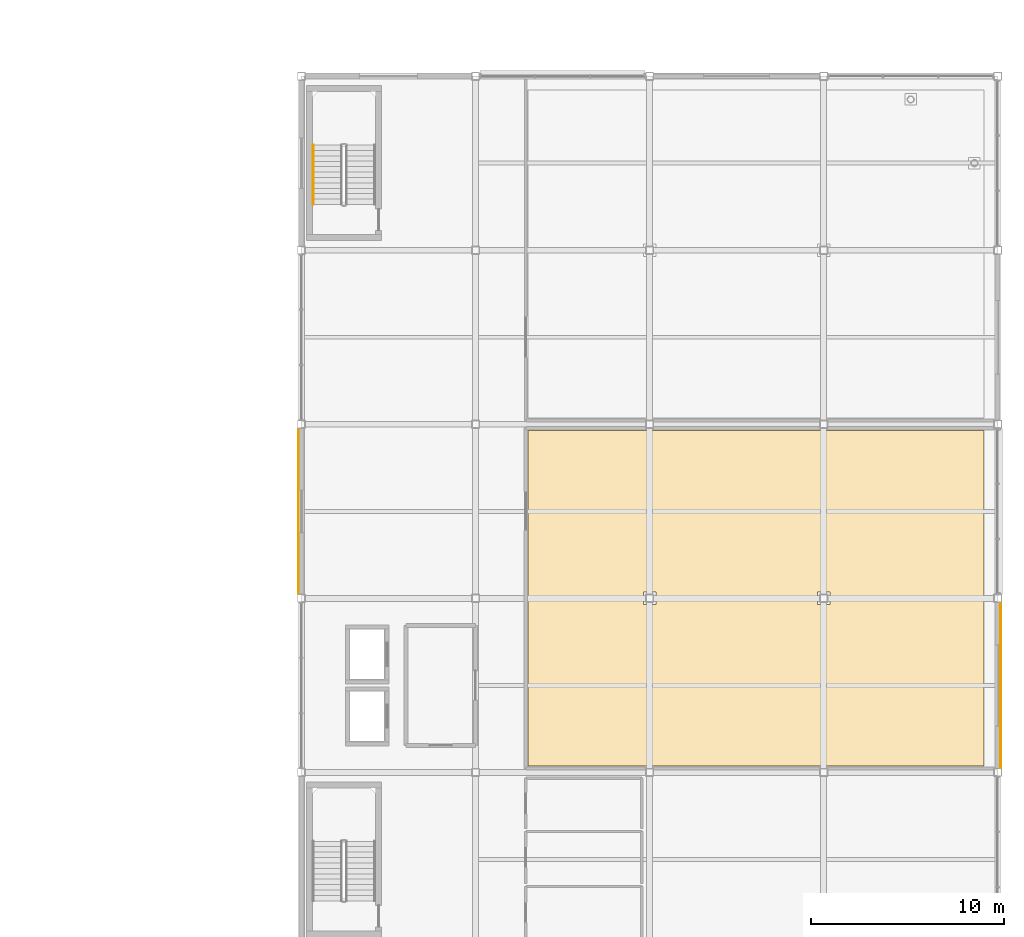
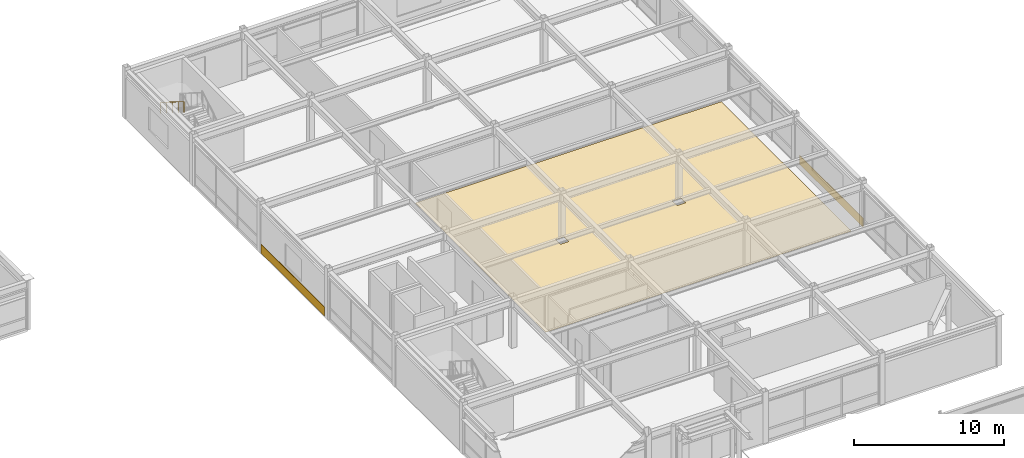
# One storey, part 68 of 70: 3 coverings, 1 railing.
"""IFC4 building model written with IfcOpenShell, lengths in metres."""

from ifc_helpers import new_model, si_unit, direction, frame, origin, origin_2d, place, context, subcontext, project, spatial, polyline, rectangle, circle, outline, extrude, material, layer, layer_set, type_object, element, save


model = new_model("IFC4")

# Units and contexts
model_context = context("Model", 3, precision=1e-05, world=origin(), true_north=direction((0.0, 1.0)))
body_context = subcontext(model_context, "Body", "Model", "MODEL_VIEW")
ifc_project = project(units=[si_unit("LENGTHUNIT", "METRE"), si_unit("AREAUNIT", "SQUARE_METRE"), si_unit("VOLUMEUNIT", "CUBIC_METRE"), si_unit("PLANEANGLEUNIT", "RADIAN"), si_unit("MASSUNIT", "GRAM", prefix="KILO")], contexts=[model_context])

# Site, building, storey
site_placement = place(None, origin())
site = spatial("IfcSite", under=ifc_project, at=site_placement, CompositionType="ELEMENT")
building_placement = place(site_placement, origin())
building = spatial("IfcBuilding", under=site, at=building_placement, Name="Suzunagisa Mobility Hub", CompositionType="ELEMENT")
storey_placement = place(building_placement, frame((0.0, 0.0, 13.5)))
storey = spatial("IfcBuildingStorey", under=building, at=storey_placement, Name="L03", CompositionType="ELEMENT", Elevation=13.5)

# Coverings
ifc_material_1 = material(Name="Polished Aggregate Terrazzo Finish")
ifc_layer_1 = layer(ifc_material_1, 0.02001953125)
ifc_layer_set_1 = layer_set([ifc_layer_1], Name="Polished Aggregate Terrazzo Finish")
covering_type_1 = type_object("IfcCoveringType", Name="Polished Terrazzo Heavy-Traffic Flooring FLR-01", PredefinedType="FLOORING", material=ifc_layer_set_1)
covering_placement = place(storey_placement, origin())
element("IfcCovering", 1, at=covering_placement, inside=storey, type_object=covering_type_1, Name="L03 Civic Disaster Prevention Bosai Briefing Centre Terrazzo Flooring", PredefinedType="FLOORING", context=body_context, shape_type="SweptSolid", body=[
    extrude(outline(polyline([(161.679931640625, 79.679931640625), (162.320068359375, 79.679931640625), (170.679931640625, 79.679931640625), (171.320068359375, 79.679931640625), (179.280029296875, 79.679931640625), (179.280029296875, 62.320068359375), (171.320068359375, 62.320068359375), (170.679931640625, 62.320068359375), (162.320068359375, 62.320068359375), (161.679931640625, 62.320068359375), (155.719970703125, 62.320068359375), (155.719970703125, 79.679931640625), (161.679931640625, 79.679931640625)]), holes=[polyline([(162.320068359375, 70.679931640625), (162.320068359375, 71.320068359375), (161.679931640625, 71.320068359375), (161.679931640625, 70.679931640625), (162.320068359375, 70.679931640625)]), polyline([(171.320068359375, 71.320068359375), (170.679931640625, 71.320068359375), (170.679931640625, 70.679931640625), (171.320068359375, 70.679931640625), (171.320068359375, 71.320068359375)])]), origin(), (0.0, 0.0, 1.0), 0.02001953125),
])
ifc_material_2 = material(Name="Vitreous Porcelain Enamel Aluminum Cladding", Category="aluminium")
ifc_layer_2 = layer(ifc_material_2, 0.034912109375)
ifc_layer_set_2 = layer_set([ifc_layer_2], Name="Vitreous Porcelain Enamel Aluminum Cladding")
covering_type_2 = type_object("IfcCoveringType", Name="Porcelain Enamel Spandrel Cladding Band CLD-01", PredefinedType="CLADDING", material=ifc_layer_set_2)
for number, where, z_axis, x_axis, name in (
    (2, (180.157470703125, 66.5, 0.06005859375), (0.0, 0.0, 1.0), (0.0, 1.0, 0.0), "L03 Porcelain Spandrel Cladding Band CLD-42"),
    (3, (143.8525390625, 75.5, 0.06005859375), (0.0, 0.0, 1.0), (0.0, -1.0, 0.0), "L03 Porcelain Spandrel Cladding Band CLD-43"),
):
    element("IfcCovering", number, at=place(storey_placement, frame(where, z_axis=z_axis, x_axis=x_axis)), inside=storey, type_object=covering_type_2, Name=name, PredefinedType="CLADDING", context=body_context, shape_type="SweptSolid", body=[
        extrude(rectangle(XDim=8.5, YDim=0.034912109375, at=origin_2d()), origin(), (0.0, 0.0, 1.0), 0.719970703125),
    ])

# Railing
ifc_material_3 = material(Name="Stainless Steel SUS304", Category="metal")
railing_type = type_object("IfcRailingType", Name="Tubular Stainless Stair Handrail IHR-01", PredefinedType="HANDRAIL", material=ifc_material_3)
railing_placement = place(storey_placement, frame((144.610107421875, 94.43994140625, 2.27490234375)))
element("IfcRailing", 4, at=railing_placement, inside=storey, type_object=railing_type, Name="L03 ST-12 stair handrail 2", PredefinedType="HANDRAIL", context=body_context, shape_type="SweptSolid", body=[
    extrude(circle(Radius=0.02392578125, at=origin_2d()), frame((0.0, 0.0, 0.8759765625), z_axis=(0.0, -0.847979421464, 0.530029150871), x_axis=(1.0, 0.0, 0.0)), (0.0, 0.0, 1.0), 3.632080078125),
    extrude(circle(Radius=0.02099609375, at=origin_2d()), origin(), (0.0, 0.0, 1.0), 0.851806640625),
    extrude(circle(Radius=0.02099609375, at=origin_2d()), frame((0.0, -0.77001953125, 0.481201171875)), (0.0, 0.0, 1.0), 0.851806640625),
    extrude(circle(Radius=0.02099609375, at=origin_2d()), frame((0.0, -1.5400390625, 0.96240234375)), (0.0, 0.0, 1.0), 0.851806640625),
    extrude(circle(Radius=0.02099609375, at=origin_2d()), frame((0.0, -2.309814453125, 1.44384765625)), (0.0, 0.0, 1.0), 0.851806640625),
    extrude(circle(Radius=0.02099609375, at=origin_2d()), frame((0.0, -3.079833984375, 1.925048828125)), (0.0, 0.0, 1.0), 0.851806640625),
])

save(model, "model.ifc")
